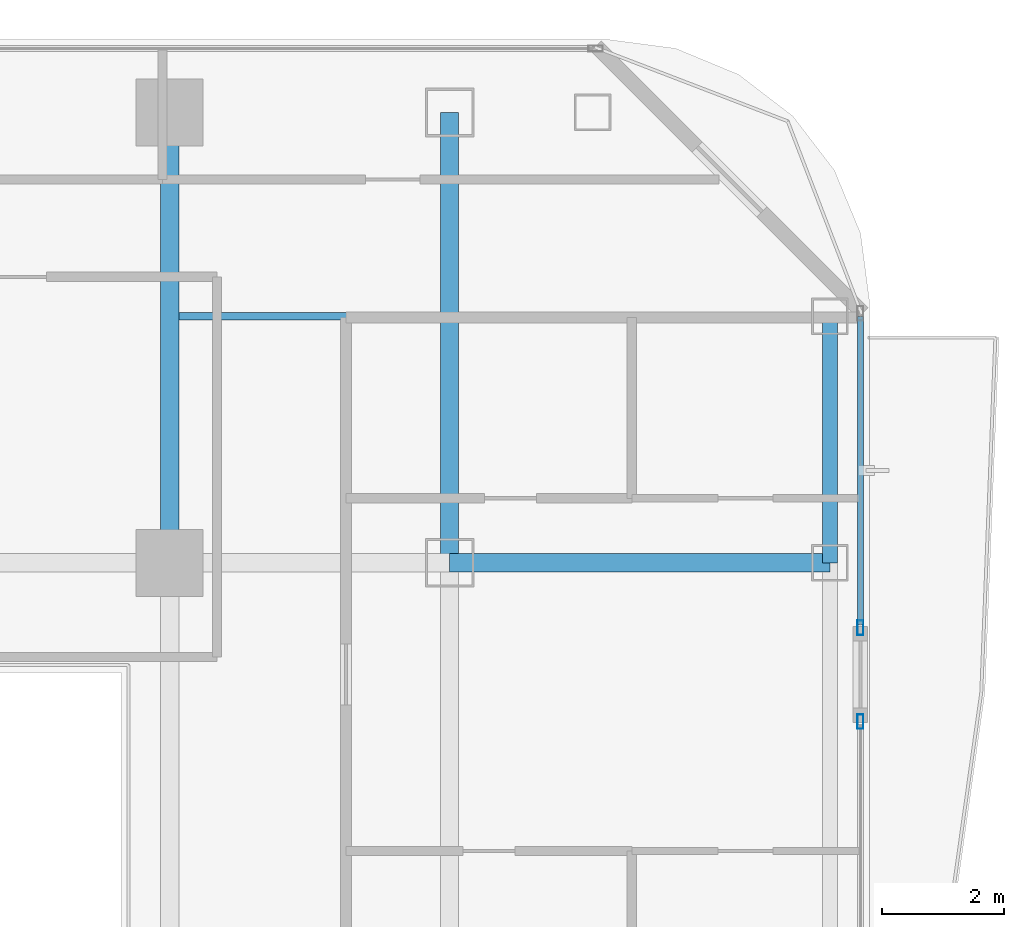
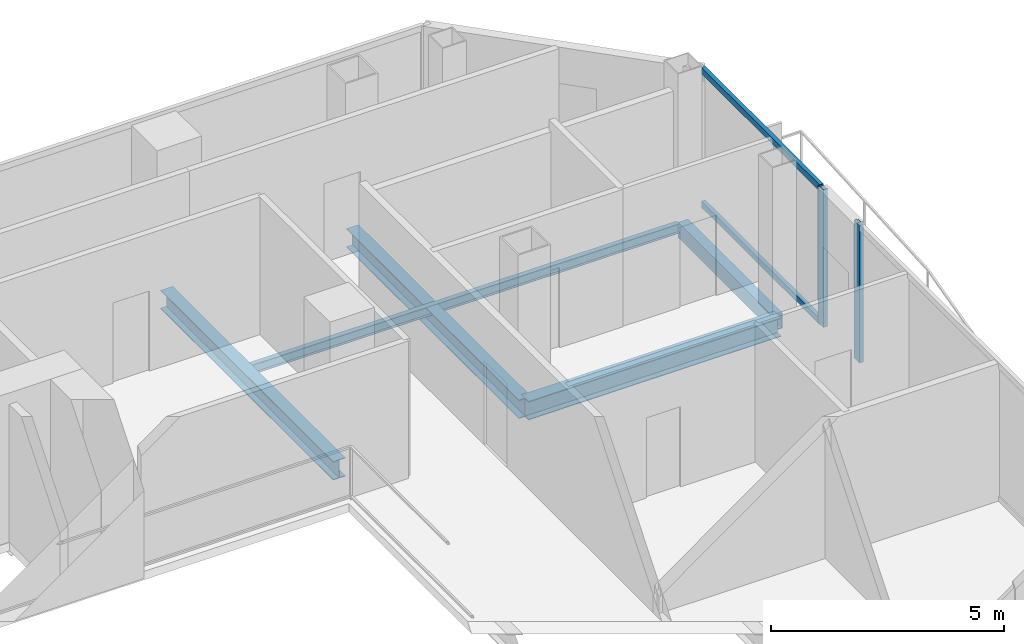
# One storey, part 16 of 27: 5 beams, 4 members, 2 elements without a shape of their own.
"""IFC4 building model written with IfcOpenShell, lengths in metres."""

from ifc_helpers import new_model, si_unit, direction, frame, origin, origin_2d, place, context, subcontext, project, spatial, hollow_rectangle, i_section, extrude, material, layer, layer_set, material_profile, profile_set, type_object, element, aggregate, save


model = new_model("IFC4")

# Units and contexts
model_context = context("Model", 3, precision=1e-05, world=origin(), true_north=direction((0.0, 1.0)))
body_context = subcontext(model_context, "Body", "Model", "MODEL_VIEW")
ifc_project = project(units=[si_unit("LENGTHUNIT", "METRE"), si_unit("AREAUNIT", "SQUARE_METRE"), si_unit("VOLUMEUNIT", "CUBIC_METRE"), si_unit("PLANEANGLEUNIT", "RADIAN"), si_unit("MASSUNIT", "GRAM", prefix="KILO")], contexts=[model_context])

# Site, building, storey
site_placement = place(None, origin())
site = spatial("IfcSite", under=ifc_project, at=site_placement, CompositionType="ELEMENT")
building_placement = place(site_placement, origin())
building = spatial("IfcBuilding", under=site, at=building_placement, Name="Khorvyn Point Tower", CompositionType="ELEMENT")
storey_placement = place(building_placement, frame((0.0, 0.0, 231.300048828125)))
storey = spatial("IfcBuildingStorey", under=building, at=storey_placement, Name="L57", CompositionType="ELEMENT", Elevation=231.300048828125)

# Curtain wall, member
ifc_material_1 = material(Name="Anodised aluminium 6063-T6 and laminated Low-E glass", Category="aluminium")
ifc_layer = layer(ifc_material_1, 0.18994140625)
ifc_layer_set = layer_set([ifc_layer], Name="Stick-Built Acoustic Curtain Wall CW-SYS-03")
curtain_wall_type = type_object("IfcCurtainWallType", Name="Stick-Built Acoustic Curtain Wall CW-SYS-03", PredefinedType="NOTDEFINED", material=ifc_layer_set)
curtain_wall_1_placement = place(storey_placement, origin())
curtain_wall_1 = element("IfcCurtainWall", 1, at=curtain_wall_1_placement, inside=storey, type_object=curtain_wall_type, Name="Curtain Wall", PredefinedType="NOTDEFINED")
ifc_material_2 = material(Name="Anodised aluminium 6063-T6", Category="aluminium")
ifc_material_profile_1 = material_profile(ifc_material_2, hollow_rectangle(XDim=0.10009765625, YDim=0.239990234375, WallThickness=0.0048828125, at=origin_2d()))
ifc_profile_set_1 = profile_set([ifc_material_profile_1], Name="Anodised aluminium 6063-T6 ALU-MUL-100x240")
member_type_1 = type_object("IfcMemberType", Name="Anodised Aluminium 6063-T6 Mullion ALU-MUL-100x240", PredefinedType="MULLION", material=ifc_profile_set_1)
member_1_placement = place(storey_placement, frame((26.14990234375, 6.33203125, 0.0), z_axis=(0.0, 0.0, 1.0), x_axis=(1.0, 0.0, 0.0)))
member_1 = element("IfcMember", 2, at=member_1_placement, type_object=member_type_1, Name="Transom", PredefinedType="MULLION", context=body_context, shape_type="SweptSolid", body=[
    extrude(hollow_rectangle(XDim=0.10009765625, YDim=0.239990234375, WallThickness=0.0048828125, at=origin_2d()), origin(), (0.0, 0.0, 1.0), 3.599853515625),
])

curtain_wall_2_placement = place(storey_placement, origin())
curtain_wall_2 = element("IfcCurtainWall", 3, at=curtain_wall_2_placement, inside=storey, type_object=curtain_wall_type, Name="Curtain Wall", PredefinedType="NOTDEFINED")
member_2_placement = place(storey_placement, frame((26.14990234375, 4.7919921875, 0.0), z_axis=(0.0, 0.0, 1.0), x_axis=(1.0, 0.0, 0.0)))
member_2 = element("IfcMember", 4, at=member_2_placement, type_object=member_type_1, Name="Transom", PredefinedType="MULLION", context=body_context, shape_type="SweptSolid", body=[
    extrude(hollow_rectangle(XDim=0.10009765625, YDim=0.239990234375, WallThickness=0.0048828125, at=origin_2d()), origin(), (0.0, 0.0, 1.0), 3.599853515625),
])
aggregate(curtain_wall_2, [member_2])

# Member
ifc_material_profile_2 = material_profile(ifc_material_2, hollow_rectangle(XDim=0.10009765625, YDim=0.159912109375, WallThickness=0.00439453125, at=origin_2d()))
ifc_profile_set_2 = profile_set([ifc_material_profile_2], Name="Anodised aluminium 6063-T6 ALU-TRN-100x160")
member_type_2 = type_object("IfcMemberType", Name="Anodised Aluminium 6063-T6 Transom ALU-TRN-100x160", PredefinedType="USERDEFINED", material=ifc_profile_set_2)
member_3_placement = place(storey_placement, frame((26.14990234375, 11.449951171875, 0.050048828125), z_axis=(0.0, -1.0, 0.0), x_axis=(1.0, 0.0, 0.0)))
member_3 = element("IfcMember", 5, at=member_3_placement, type_object=member_type_2, Name="Transom", ObjectType="TRANSOM", PredefinedType="USERDEFINED", context=body_context, shape_type="SweptSolid", body=[
    extrude(hollow_rectangle(XDim=0.10009765625, YDim=0.159912109375, WallThickness=0.00439453125, at=origin_2d()), origin(), (0.0, 0.0, 1.0), 5.06787109375),
])

member_4_placement = place(storey_placement, frame((26.14990234375, 11.449951171875, 3.550048828125), z_axis=(0.0, -1.0, 0.0), x_axis=(1.0, 0.0, 0.0)))
member_4 = element("IfcMember", 6, at=member_4_placement, type_object=member_type_2, Name="Transom", ObjectType="TRANSOM", PredefinedType="USERDEFINED", context=body_context, shape_type="SweptSolid", body=[
    extrude(hollow_rectangle(XDim=0.10009765625, YDim=0.159912109375, WallThickness=0.00439453125, at=origin_2d()), origin(), (0.0, 0.0, 1.0), 5.06787109375),
])

aggregate(curtain_wall_1, [member_1, member_3, member_4])

# Beams
ifc_material_3 = material(Name="Steel S355", Category="steel")
ifc_material_profile_3 = material_profile(ifc_material_3, i_section(OverallWidth=0.125, OverallDepth=0.25, WebThickness=0.006103515625, FlangeThickness=0.009033203125, at=origin_2d()))
ifc_profile_set_3 = profile_set([ifc_material_profile_3], Name="Steel S355 H250x125x6x9")
beam_type_1 = type_object("IfcBeamType", Name="Steel S355 Joist H250x125x6x9", PredefinedType="JOIST", material=ifc_profile_set_3)
beam_1_placement = place(storey_placement, frame((14.949951171875, 11.449951171875, -0.344970703125), z_axis=(1.0, 0.0, 0.0), x_axis=(0.0, 1.0, 0.0)))
element("IfcBeam", 7, at=beam_1_placement, inside=storey, type_object=beam_type_1, Name="Beam", PredefinedType="JOIST", context=body_context, shape_type="SweptSolid", body=[
    extrude(i_section(OverallWidth=0.125, OverallDepth=0.25, WebThickness=0.006103515625, FlangeThickness=0.009033203125, at=origin_2d()), origin(), (0.0, 0.0, 1.0), 10.574951171875),
])
ifc_material_profile_4 = material_profile(ifc_material_3, i_section(OverallWidth=0.300048828125, OverallDepth=0.488037109375, WebThickness=0.010986328125, FlangeThickness=0.01806640625, at=origin_2d()))
ifc_profile_set_4 = profile_set([ifc_material_profile_4], Name="Steel S355 H488x300x11x18")
beam_type_2 = type_object("IfcBeamType", Name="Steel S355 Spandrel H488x300x11x18", PredefinedType="SPANDREL", material=ifc_profile_set_4)
beam_2_placement = place(storey_placement, frame((19.39990234375, 7.39990234375, -0.464111328125), z_axis=(1.0, 0.0, 0.0), x_axis=(0.0, 1.0, 0.0)))
element("IfcBeam", 8, at=beam_2_placement, inside=storey, type_object=beam_type_2, Name="Beam", PredefinedType="SPANDREL", context=body_context, shape_type="SweptSolid", body=[
    extrude(i_section(OverallWidth=0.300048828125, OverallDepth=0.488037109375, WebThickness=0.010986328125, FlangeThickness=0.01806640625, at=origin_2d()), origin(), (0.0, 0.0, 1.0), 6.25),
])
for number, where, z_axis, x_axis, name in (
    (9, (14.800048828125, 7.39990234375, -0.464111328125), (0.0, 1.0, 0.0), (-1.0, 0.0, 0.0), "Beam"),
    (10, (19.39990234375, 7.39990234375, -0.464111328125), (0.0, 1.0, 0.0), (-1.0, 0.0, 0.0), "Beam"),
):
    element("IfcBeam", number, at=place(storey_placement, frame(where, z_axis=z_axis, x_axis=x_axis)), inside=storey, type_object=beam_type_2, Name=name, PredefinedType="SPANDREL", context=body_context, shape_type="SweptSolid", body=[
        extrude(i_section(OverallWidth=0.300048828125, OverallDepth=0.488037109375, WebThickness=0.010986328125, FlangeThickness=0.01806640625, at=origin_2d()), origin(), (0.0, 0.0, 1.0), 7.400146484375),
    ])
ifc_material_profile_5 = material_profile(ifc_material_3, hollow_rectangle(XDim=0.25, YDim=0.39990234375, WallThickness=0.01611328125, at=origin_2d()))
ifc_profile_set_5 = profile_set([ifc_material_profile_5], Name="Steel S355 RHS400x250x16")
beam_type_3 = type_object("IfcBeamType", Name="Steel S355 Spandrel RHS400x250x16", PredefinedType="SPANDREL", material=ifc_profile_set_5)
beam_3_placement = place(storey_placement, frame((25.64990234375, 7.39990234375, -0.420166015625), z_axis=(0.0, 1.0, 0.0), x_axis=(-1.0, 0.0, 0.0)))
element("IfcBeam", 11, at=beam_3_placement, inside=storey, type_object=beam_type_3, Name="Beam", PredefinedType="SPANDREL", context=body_context, shape_type="SweptSolid", body=[
    extrude(hollow_rectangle(XDim=0.25, YDim=0.39990234375, WallThickness=0.01611328125, at=origin_2d()), origin(), (0.0, 0.0, 1.0), 4.050048828125),
])

save(model, "model.ifc")
